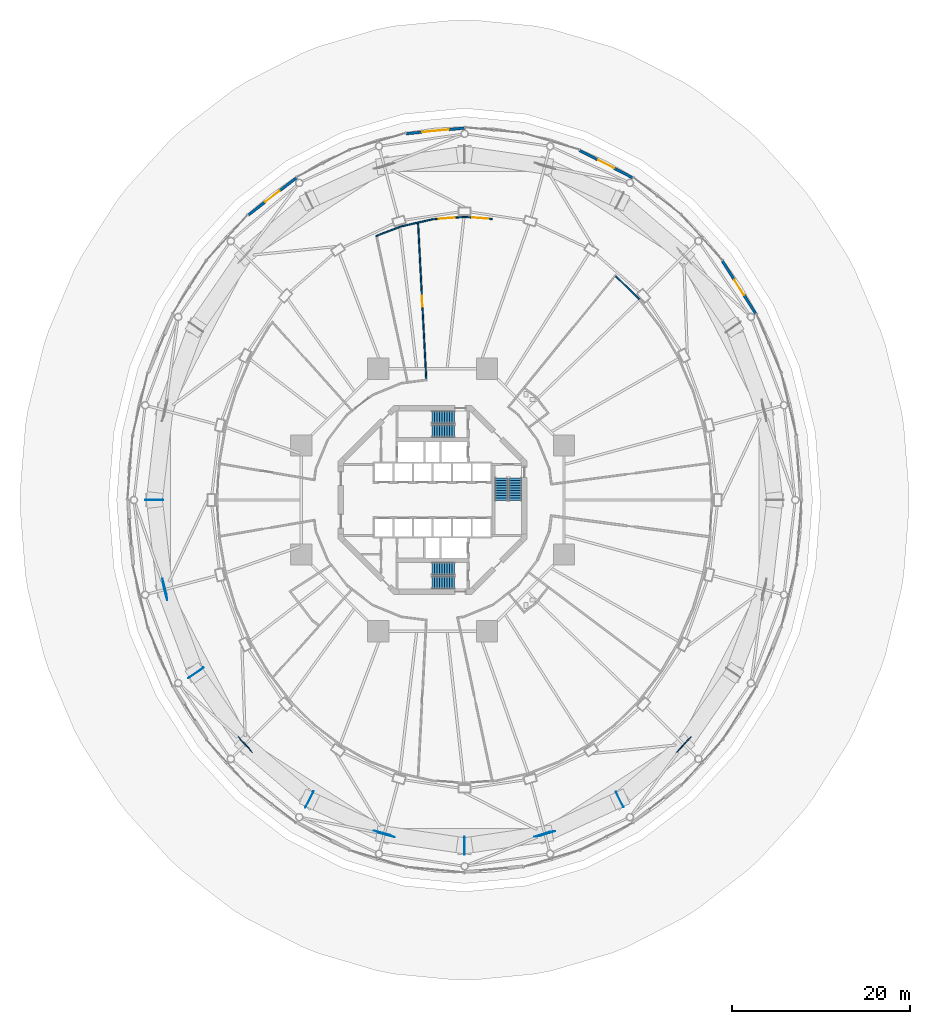
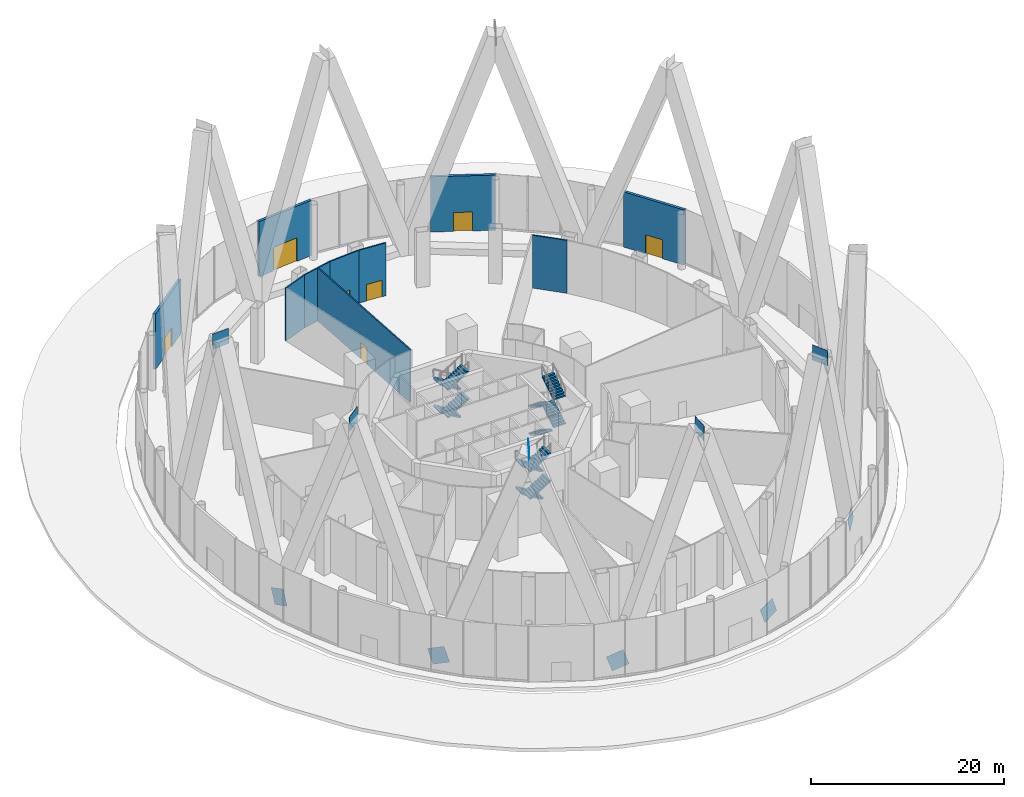
# One storey, part 62 of 67: 12 stair flights, 11 walls, 10 discrete accessories, 7 doors, 7 openings, 3 elements without a shape of their own.
"""IFC4 building model written with IfcOpenShell, lengths in metres."""

from ifc_helpers import new_model, si_unit, direction, frame, frame_2d, origin, origin_2d, place, context, subcontext, project, spatial, polyline, rectangle, outline, extrude, material, layer, layer_set, type_object, element, fill, aggregate, save


model = new_model("IFC4")

# Units and contexts
model_context = context("Model", 3, precision=1e-05, world=origin(), true_north=direction((0.0, 1.0)))
body_context = subcontext(model_context, "Body", "Model", "MODEL_VIEW")
ifc_project = project(units=[si_unit("LENGTHUNIT", "METRE"), si_unit("AREAUNIT", "SQUARE_METRE"), si_unit("VOLUMEUNIT", "CUBIC_METRE"), si_unit("PLANEANGLEUNIT", "RADIAN"), si_unit("MASSUNIT", "GRAM", prefix="KILO")], contexts=[model_context])

# Site, building, storey
site_placement = place(None, origin())
site = spatial("IfcSite", under=ifc_project, at=site_placement, CompositionType="ELEMENT")
building_placement = place(site_placement, origin())
building = spatial("IfcBuilding", under=site, at=building_placement, Name="Nagisa Residences", CompositionType="ELEMENT")
storey_placement = place(building_placement, origin())
storey = spatial("IfcBuildingStorey", under=building, at=storey_placement, Name="L00", CompositionType="ELEMENT", Elevation=0.0)

# Wall, opening, door
ifc_material_1 = material(Name="Precast concrete C40/50", Category="concrete")
ifc_layer_1 = layer(ifc_material_1, 0.300048828125)
ifc_layer_set_1 = layer_set([ifc_layer_1], Name="ENTRANCE WALL 300")
wall_type_1 = type_object("IfcWallType", Name="ENTRANCE WALL 300", PredefinedType="SOLIDWALL", material=ifc_layer_set_1)
wall_1_placement = place(storey_placement, frame((32.5830078125, 26.916748046875, 0.0), z_axis=(0.0, 0.0, 1.0), x_axis=(0.535169889444, -0.844744452147, 0.0)))
wall_1 = element("IfcWall", 1, at=wall_1_placement, inside=storey, type_object=wall_type_1, Name="wall:L00:xit03", PredefinedType="SOLIDWALL", context=body_context, shape_type="SweptSolid", body=[
    extrude(rectangle(XDim=7.099365234375, YDim=0.300048828125, at=frame_2d((3.5498046875, 0.0))), origin(), (0.0, 0.0, 1.0), 7.0),
])
opening_1_placement = place(wall_1_placement, frame((2.549560546875, 0.0, 0.0)))
opening_1 = element("IfcOpeningElement", 2, at=opening_1_placement, cuts=wall_1, Name="Opening XD-01", PredefinedType="OPENING", context=body_context, shape_type="SweptSolid", body=[
    extrude(rectangle(XDim=2.0, YDim=2.39990234375, at=frame_2d((1.0, 1.199951171875))), frame((0.0, 0.159912109375, 0.0), z_axis=(0.0, -1.0, 0.0), x_axis=(1.0, 0.0, 0.0)), (0.0, 0.0, 1.0), 0.320068359375),
])
ifc_material_2 = material(Name="Stainless steel and clear glass", Category="steel")
door_type_1 = type_object("IfcDoorType", Name="EXIT DOUBLE DOOR 2000x2400", OperationType="DOUBLE_DOOR_SINGLE_SWING", PredefinedType="DOOR", material=ifc_material_2)
door_1_placement = place(opening_1_placement, origin())
door_1 = element("IfcDoor", 3, at=door_1_placement, inside=storey, type_object=door_type_1, Name="door:L00:xit03", OperationType="DOUBLE_DOOR_SINGLE_SWING", OverallHeight=2.39990234375, OverallWidth=2.0, PredefinedType="DOOR", context=body_context, shape_type="SweptSolid", body=[
    extrude(rectangle(XDim=2.0, YDim=2.39990234375, at=frame_2d((1.0, 1.199951171875))), frame((0.0, 0.02490234375, 0.0), z_axis=(0.0, -1.0, 0.0), x_axis=(1.0, 0.0, 0.0)), (0.0, 0.0, 1.0), 0.050048828125),
])
fill(opening_1, door_1)

wall_2_placement = place(storey_placement, frame((16.528076171875, 39.333740234375, 0.0), z_axis=(0.0, 0.0, 1.0), x_axis=(0.888887130152, -0.458126259726, 0.0)))
wall_2 = element("IfcWall", 4, at=wall_2_placement, inside=storey, type_object=wall_type_1, Name="wall:L00:xit06", PredefinedType="SOLIDWALL", context=body_context, shape_type="SweptSolid", body=[
    extrude(rectangle(XDim=6.753662109375, YDim=0.300048828125, at=frame_2d((3.376953125, 0.0))), origin(), (0.0, 0.0, 1.0), 7.0),
])
opening_2_placement = place(wall_2_placement, frame((2.376708984375, 0.0, 0.0)))
opening_2 = element("IfcOpeningElement", 5, at=opening_2_placement, cuts=wall_2, Name="Opening XD-02", PredefinedType="OPENING", context=body_context, shape_type="SweptSolid", body=[
    extrude(rectangle(XDim=2.0, YDim=2.39990234375, at=frame_2d((1.0, 1.199951171875))), frame((0.0, 0.159912109375, 0.0), z_axis=(0.0, -1.0, 0.0), x_axis=(1.0, 0.0, 0.0)), (0.0, 0.0, 1.0), 0.320068359375),
])
door_2_placement = place(opening_2_placement, origin())
door_2 = element("IfcDoor", 6, at=door_2_placement, inside=storey, type_object=door_type_1, Name="door:L00:xit06", OperationType="DOUBLE_DOOR_SINGLE_SWING", OverallHeight=2.39990234375, OverallWidth=2.0, PredefinedType="DOOR", context=body_context, shape_type="SweptSolid", body=[
    extrude(rectangle(XDim=2.0, YDim=2.39990234375, at=frame_2d((1.0, 1.199951171875))), frame((0.0, 0.02490234375, 0.0), z_axis=(0.0, -1.0, 0.0), x_axis=(1.0, 0.0, 0.0)), (0.0, 0.0, 1.0), 0.050048828125),
])
fill(opening_2, door_2)

wall_3_placement = place(storey_placement, frame((-2.984130859375, 41.212646484375, 0.0), z_axis=(0.0, 0.0, 1.0), x_axis=(0.995359234714, 0.096228861932, 0.0)))
wall_3 = element("IfcWall", 7, at=wall_3_placement, inside=storey, type_object=wall_type_1, Name="wall:L00:ent09", PredefinedType="SOLIDWALL", context=body_context, shape_type="SweptSolid", body=[
    extrude(rectangle(XDim=6.62939453125, YDim=0.300048828125, at=frame_2d((3.314697265625, 0.0))), origin(), (0.0, 0.0, 1.0), 7.0),
])
opening_3_placement = place(wall_3_placement, frame((1.814697265625, 0.0, 0.0)))
opening_3 = element("IfcOpeningElement", 8, at=opening_3_placement, cuts=wall_3, Name="Opening ED-02", PredefinedType="OPENING", context=body_context, shape_type="SweptSolid", body=[
    extrude(rectangle(XDim=3.0, YDim=3.0, at=frame_2d((1.5, 1.5))), frame((0.0, 0.159912109375, 0.0), z_axis=(0.0, -1.0, 0.0), x_axis=(1.0, 0.0, 0.0)), (0.0, 0.0, 1.0), 0.320068359375),
])
ifc_material_3 = material(Name="Stainless steel and clear glass", Category="steel")
door_type_2 = type_object("IfcDoorType", Name="ENTRANCE DOUBLE DOOR 3000x3000", OperationType="DOUBLE_DOOR_DOUBLE_SWING", PredefinedType="DOOR", material=ifc_material_3)
door_3_placement = place(opening_3_placement, origin())
door_3 = element("IfcDoor", 9, at=door_3_placement, inside=storey, type_object=door_type_2, Name="door:L00:ent09", OperationType="DOUBLE_DOOR_DOUBLE_SWING", OverallHeight=3.0, OverallWidth=3.0, PredefinedType="DOOR", context=body_context, shape_type="SweptSolid", body=[
    extrude(rectangle(XDim=3.0, YDim=3.0, at=frame_2d((1.5, 1.5))), frame((0.0, 0.02490234375, 0.0), z_axis=(0.0, -1.0, 0.0), x_axis=(1.0, 0.0, 0.0)), (0.0, 0.0, 1.0), 0.050048828125),
])
fill(opening_3, door_3)

wall_4_placement = place(storey_placement, frame((-20.734130859375, 32.05517578125, 0.0), z_axis=(0.0, 0.0, 1.0), x_axis=(0.790834819486, 0.612029646576, 0.0)))
wall_4 = element("IfcWall", 10, at=wall_4_placement, inside=storey, type_object=wall_type_1, Name="wall:L00:xit12", PredefinedType="SOLIDWALL", context=body_context, shape_type="SweptSolid", body=[
    extrude(rectangle(XDim=6.861083984375, YDim=0.300048828125, at=frame_2d((3.4306640625, 0.0))), origin(), (0.0, 0.0, 1.0), 7.0),
])
opening_4_placement = place(wall_4_placement, frame((2.430419921875, 0.0, 0.0)))
opening_4 = element("IfcOpeningElement", 11, at=opening_4_placement, cuts=wall_4, Name="Opening XD-03", PredefinedType="OPENING", context=body_context, shape_type="SweptSolid", body=[
    extrude(rectangle(XDim=2.0, YDim=2.39990234375, at=frame_2d((1.0, 1.199951171875))), frame((0.0, 0.159912109375, 0.0), z_axis=(0.0, -1.0, 0.0), x_axis=(1.0, 0.0, 0.0)), (0.0, 0.0, 1.0), 0.320068359375),
])
door_4_placement = place(opening_4_placement, origin())
door_4 = element("IfcDoor", 12, at=door_4_placement, inside=storey, type_object=door_type_1, Name="door:L00:xit12", OperationType="DOUBLE_DOOR_SINGLE_SWING", OverallHeight=2.39990234375, OverallWidth=2.0, PredefinedType="DOOR", context=body_context, shape_type="SweptSolid", body=[
    extrude(rectangle(XDim=2.0, YDim=2.39990234375, at=frame_2d((1.0, 1.199951171875))), frame((0.0, 0.02490234375, 0.0), z_axis=(0.0, -1.0, 0.0), x_axis=(1.0, 0.0, 0.0)), (0.0, 0.0, 1.0), 0.050048828125),
])
fill(opening_4, door_4)

# Walls
ifc_material_4 = material(Name="Gypsum board on steel studs", Category="steel")
ifc_layer_2 = layer(ifc_material_4, 0.14990234375)
ifc_layer_set_2 = layer_set([ifc_layer_2], Name="Room partition EI60 150")
wall_type_2 = type_object("IfcWallType", Name="Room partition EI60 150", PredefinedType="PARTITIONING", material=ifc_layer_set_2)
wall_5_placement = place(storey_placement, frame((-6.386474609375, 29.6845703125, 0.0), z_axis=(0.0, 0.0, 1.0), x_axis=(0.932843334817, 0.360282268074, 0.0)))
element("IfcWall", 13, at=wall_5_placement, inside=storey, type_object=wall_type_2, Name="wall:L00:am031", PredefinedType="PARTITIONING", context=body_context, shape_type="SweptSolid", body=[
    extrude(rectangle(XDim=3.01220703125, YDim=0.14990234375, at=frame_2d((1.506103515625, 0.0))), origin(), (0.0, 0.0, 1.0), 6.699951171875),
])
wall_6_placement = place(storey_placement, frame((-3.5625, 30.774169921875, 0.0), z_axis=(0.0, 0.0, 1.0), x_axis=(0.975336395286, 0.220723619105, 0.0)))
element("IfcWall", 14, at=wall_6_placement, inside=storey, type_object=wall_type_2, Name="wall:L00:am033", PredefinedType="PARTITIONING", context=body_context, shape_type="SweptSolid", body=[
    extrude(rectangle(XDim=1.9755859375, YDim=0.14990234375, at=frame_2d((0.98779296875, 0.0))), origin(), (0.0, 0.0, 1.0), 6.699951171875),
])
wall_7_placement = place(storey_placement, frame((-1.6357421875, 31.210205078125, 0.0), z_axis=(0.0, 0.0, 1.0), x_axis=(0.975332482819, 0.220740906853, 0.0)))
element("IfcWall", 15, at=wall_7_placement, inside=storey, type_object=wall_type_2, Name="wall:L00:am039", PredefinedType="PARTITIONING", context=body_context, shape_type="SweptSolid", body=[
    extrude(rectangle(XDim=1.654541015625, YDim=0.14990234375, at=frame_2d((0.8271484375, 0.0))), origin(), (0.0, 0.0, 1.0), 6.699951171875),
])

# Wall, opening, door
wall_8_placement = place(storey_placement, frame((-0.7119140625, 13.58203125, 0.0), z_axis=(0.0, 0.0, 1.0), x_axis=(-0.052338659043, 0.998629393103, 0.0)))
wall_8 = element("IfcWall", 16, at=wall_8_placement, inside=storey, type_object=wall_type_2, Name="wall:L00:am041", PredefinedType="PARTITIONING", context=body_context, shape_type="SweptSolid", body=[
    extrude(rectangle(XDim=17.576416015625, YDim=0.14990234375, at=frame_2d((8.7880859375, 0.0))), origin(), (0.0, 0.0, 1.0), 6.699951171875),
])
opening_5_placement = place(wall_8_placement, frame((8.188720703125, 0.0, 0.0)))
opening_5 = element("IfcOpeningElement", 17, at=opening_5_placement, cuts=wall_8, Name="Opening L00-A03", PredefinedType="OPENING", context=body_context, shape_type="SweptSolid", body=[
    extrude(rectangle(XDim=1.199951171875, YDim=2.10009765625, at=frame_2d((0.60009765625, 1.050048828125))), frame((0.0, 0.0849609375, 0.0), z_axis=(0.0, -1.0, 0.0), x_axis=(1.0, 0.0, 0.0)), (0.0, 0.0, 1.0), 0.169921875),
])
ifc_material_5 = material(Name="Steel fire door", Category="steel")
door_type_3 = type_object("IfcDoorType", Name="Fire door EI30 1200x2100 single swing", OperationType="NOTDEFINED", PredefinedType="DOOR", material=ifc_material_5)
door_5_placement = place(opening_5_placement, frame((1.199951171875, 0.0, 0.0), x_axis=(-1.0, 0.0, 0.0)))
door_5 = element("IfcDoor", 18, at=door_5_placement, inside=storey, type_object=door_type_3, Name="Concierge and security office door", OperationType="SINGLE_SWING_RIGHT", OverallHeight=2.10009765625, OverallWidth=1.199951171875, PredefinedType="DOOR", context=body_context, shape_type="SweptSolid", body=[
    extrude(rectangle(XDim=1.199951171875, YDim=2.10009765625, at=frame_2d((0.60009765625, 1.050048828125))), frame((0.0, 0.02490234375, 0.0), z_axis=(0.0, -1.0, 0.0), x_axis=(1.0, 0.0, 0.0)), (0.0, 0.0, 1.0), 0.050048828125),
])
fill(opening_5, door_5)

wall_9_placement = place(storey_placement, frame((-0.007080078125, 31.577880859375, 0.0), z_axis=(0.0, 0.0, 1.0), x_axis=(0.997233506708, 0.074332584365, 0.0)))
wall_9 = element("IfcWall", 19, at=wall_9_placement, inside=storey, type_object=wall_type_2, Name="wall:L00:am043", PredefinedType="PARTITIONING", context=body_context, shape_type="SweptSolid", body=[
    extrude(rectangle(XDim=3.609619140625, YDim=0.14990234375, at=frame_2d((1.8046875, 0.0))), origin(), (0.0, 0.0, 1.0), 6.699951171875),
])
opening_6_placement = place(wall_9_placement, frame((0.70068359375, 0.0, 0.0)))
opening_6 = element("IfcOpeningElement", 20, at=opening_6_placement, cuts=wall_9, Name="Opening L00-A12", PredefinedType="OPENING", context=body_context, shape_type="SweptSolid", body=[
    extrude(rectangle(XDim=1.800048828125, YDim=2.10009765625, at=frame_2d((0.89990234375, 1.050048828125))), frame((0.0, 0.0849609375, 0.0), z_axis=(0.0, -1.0, 0.0), x_axis=(1.0, 0.0, 0.0)), (0.0, 0.0, 1.0), 0.169921875),
])
ifc_material_6 = material(Name="Steel fire door", Category="steel")
door_type_4 = type_object("IfcDoorType", Name="Fire door EI30 1800x2100 double door single swing", OperationType="DOUBLE_DOOR_SINGLE_SWING", PredefinedType="DOOR", material=ifc_material_6)
door_6_placement = place(opening_6_placement, origin())
door_6 = element("IfcDoor", 21, at=door_6_placement, inside=storey, type_object=door_type_4, Name="Entrance hall north and exit corridor exit door", OperationType="DOUBLE_DOOR_SINGLE_SWING", OverallHeight=2.10009765625, OverallWidth=1.800048828125, PredefinedType="DOOR", context=body_context, shape_type="SweptSolid", body=[
    extrude(rectangle(XDim=1.800048828125, YDim=2.10009765625, at=frame_2d((0.89990234375, 1.050048828125))), frame((0.0, 0.02490234375, 0.0), z_axis=(0.0, -1.0, 0.0), x_axis=(1.0, 0.0, 0.0)), (0.0, 0.0, 1.0), 0.050048828125),
])
fill(opening_6, door_6)

wall_10_placement = place(storey_placement, frame((3.607666015625, 31.84619140625, 0.0), z_axis=(0.0, 0.0, 1.0), x_axis=(0.997228552186, -0.074399023545, 0.0)))
wall_10 = element("IfcWall", 22, at=wall_10_placement, inside=storey, type_object=wall_type_2, Name="wall:L00:am047", PredefinedType="PARTITIONING", context=body_context, shape_type="SweptSolid", body=[
    extrude(rectangle(XDim=3.12060546875, YDim=0.14990234375, at=frame_2d((1.560302734375, 0.0))), origin(), (0.0, 0.0, 1.0), 6.699951171875),
])
opening_7_placement = place(wall_10_placement, frame((0.875244140625, 0.0, 0.0)))
opening_7 = element("IfcOpeningElement", 23, at=opening_7_placement, cuts=wall_10, Name="Opening L00-A13", PredefinedType="OPENING", context=body_context, shape_type="SweptSolid", body=[
    extrude(rectangle(XDim=1.800048828125, YDim=2.10009765625, at=frame_2d((0.89990234375, 1.050048828125))), frame((0.0, 0.0849609375, 0.0), z_axis=(0.0, -1.0, 0.0), x_axis=(1.0, 0.0, 0.0)), (0.0, 0.0, 1.0), 0.169921875),
])
door_7_placement = place(opening_7_placement, origin())
door_7 = element("IfcDoor", 24, at=door_7_placement, inside=storey, type_object=door_type_4, Name="Entrance hall north and exit corridor exit door", OperationType="DOUBLE_DOOR_SINGLE_SWING", OverallHeight=2.10009765625, OverallWidth=1.800048828125, PredefinedType="DOOR", context=body_context, shape_type="SweptSolid", body=[
    extrude(rectangle(XDim=1.800048828125, YDim=2.10009765625, at=frame_2d((0.89990234375, 1.050048828125))), frame((0.0, 0.02490234375, 0.0), z_axis=(0.0, -1.0, 0.0), x_axis=(1.0, 0.0, 0.0)), (0.0, 0.0, 1.0), 0.050048828125),
])
fill(opening_7, door_7)

# Wall
wall_11_placement = place(storey_placement, frame((20.61669921875, 25.192138671875, 0.0), z_axis=(0.0, 0.0, 1.0), x_axis=(0.707799198324, -0.706413685352, 0.0)))
element("IfcWall", 25, at=wall_11_placement, inside=storey, type_object=wall_type_2, Name="wall:L00:am071", PredefinedType="PARTITIONING", context=body_context, shape_type="SweptSolid", body=[
    extrude(rectangle(XDim=3.700439453125, YDim=0.14990234375, at=frame_2d((1.85009765625, 0.0))), origin(), (0.0, 0.0, 1.0), 6.699951171875),
])

# Stair, stair flights
ifc_material_7 = material(Name="Concrete C60", Category="concrete")
stair_type = type_object("IfcStairType", Name="Exit stair", PredefinedType="HALF_TURN_STAIR", material=ifc_material_7)
stair_1_placement = place(storey_placement, origin())
stair_1 = element("IfcStair", 26, at=stair_1_placement, inside=storey, type_object=stair_type, Name="L00 Exit stair E", PredefinedType="HALF_TURN_STAIR")
ifc_material_8 = material(Name="Concrete C60", Category="concrete")
stair_flight_type = type_object("IfcStairFlightType", Name="Exit stair flight", PredefinedType="STRAIGHT", material=ifc_material_8)
stair_flight_1_placement = place(storey_placement, frame((7.737060546875, 2.47509765625, 0.0), z_axis=(0.0, 0.0, 1.0), x_axis=(0.0, -1.0, 0.0)))
stair_flight_1 = element("IfcStairFlight", 27, at=stair_flight_1_placement, type_object=stair_flight_type, Name="ST-E flight 1", NumberOfRisers=10, NumberOfTreads=9, PredefinedType="STRAIGHT", RiserHeight=0.175, TreadLength=0.28, context=body_context, shape_type="SweptSolid", body=[
    extrude(outline(polyline([(0.0, 0.0), (0.0, 0.175048828125), (0.280029296875, 0.175048828125), (0.280029296875, 0.35009765625), (0.56005859375, 0.35009765625), (0.56005859375, 0.52490234375), (0.840087890625, 0.52490234375), (0.840087890625, 0.699951171875), (1.1201171875, 0.699951171875), (1.1201171875, 0.875), (1.39990234375, 0.875), (1.39990234375, 1.050048828125), (1.679931640625, 1.050048828125), (1.679931640625, 1.22509765625), (1.9599609375, 1.22509765625), (1.9599609375, 1.39990234375), (2.239990234375, 1.39990234375), (2.239990234375, 1.574951171875), (2.52001953125, 1.574951171875), (2.52001953125, 1.75), (2.52001953125, 1.398193359375), (0.28271484375, 0.0), (0.0, 0.0)])), frame((0.0, 0.71240234375, 0.0), z_axis=(0.0, -1.0, 0.0), x_axis=(1.0, 0.0, 0.0)), (0.0, 0.0, 1.0), 1.425048828125),
])
stair_flight_2_placement = place(storey_placement, frame((9.31201171875, -0.044921875, 1.75), z_axis=(0.0, 0.0, 1.0), x_axis=(0.0, 1.0, 0.0)))
stair_flight_2 = element("IfcStairFlight", 28, at=stair_flight_2_placement, type_object=stair_flight_type, Name="ST-E flight 2", NumberOfRisers=10, NumberOfTreads=9, PredefinedType="STRAIGHT", RiserHeight=0.175, TreadLength=0.28, context=body_context, shape_type="SweptSolid", body=[
    extrude(outline(polyline([(0.0, 0.0), (0.0, 0.175048828125), (0.280029296875, 0.175048828125), (0.280029296875, 0.35009765625), (0.56005859375, 0.35009765625), (0.56005859375, 0.52490234375), (0.840087890625, 0.52490234375), (0.840087890625, 0.699951171875), (1.1201171875, 0.699951171875), (1.1201171875, 0.875), (1.39990234375, 0.875), (1.39990234375, 1.050048828125), (1.679931640625, 1.050048828125), (1.679931640625, 1.22509765625), (1.9599609375, 1.22509765625), (1.9599609375, 1.39990234375), (2.239990234375, 1.39990234375), (2.239990234375, 1.574951171875), (2.52001953125, 1.574951171875), (2.52001953125, 1.75), (2.52001953125, 1.398193359375), (0.28271484375, 0.0), (0.0, 0.0)])), frame((0.0, 0.71240234375, 0.0), z_axis=(0.0, -1.0, 0.0), x_axis=(1.0, 0.0, 0.0)), (0.0, 0.0, 1.0), 1.425048828125),
])
stair_flight_3_placement = place(storey_placement, frame((7.737060546875, 2.47509765625, 3.5), z_axis=(0.0, 0.0, 1.0), x_axis=(0.0, -1.0, 0.0)))
stair_flight_3 = element("IfcStairFlight", 29, at=stair_flight_3_placement, type_object=stair_flight_type, Name="ST-E flight 3", NumberOfRisers=10, NumberOfTreads=9, PredefinedType="STRAIGHT", RiserHeight=0.175, TreadLength=0.28, context=body_context, shape_type="SweptSolid", body=[
    extrude(outline(polyline([(0.0, 0.0), (0.0, 0.175048828125), (0.280029296875, 0.175048828125), (0.280029296875, 0.35009765625), (0.56005859375, 0.35009765625), (0.56005859375, 0.52490234375), (0.840087890625, 0.52490234375), (0.840087890625, 0.699951171875), (1.1201171875, 0.699951171875), (1.1201171875, 0.875), (1.39990234375, 0.875), (1.39990234375, 1.050048828125), (1.679931640625, 1.050048828125), (1.679931640625, 1.22509765625), (1.9599609375, 1.22509765625), (1.9599609375, 1.39990234375), (2.239990234375, 1.39990234375), (2.239990234375, 1.574951171875), (2.52001953125, 1.574951171875), (2.52001953125, 1.75), (2.52001953125, 1.398193359375), (0.28271484375, 0.0), (0.0, 0.0)])), frame((0.0, 0.71240234375, 0.0), z_axis=(0.0, -1.0, 0.0), x_axis=(1.0, 0.0, 0.0)), (0.0, 0.0, 1.0), 1.425048828125),
])
stair_flight_4_placement = place(storey_placement, frame((9.31201171875, -0.044921875, 5.25), z_axis=(0.0, 0.0, 1.0), x_axis=(0.0, 1.0, 0.0)))
stair_flight_4 = element("IfcStairFlight", 30, at=stair_flight_4_placement, type_object=stair_flight_type, Name="ST-E flight 4", NumberOfRisers=10, NumberOfTreads=9, PredefinedType="STRAIGHT", RiserHeight=0.175, TreadLength=0.28, context=body_context, shape_type="SweptSolid", body=[
    extrude(outline(polyline([(0.0, 0.0), (0.0, 0.175048828125), (0.280029296875, 0.175048828125), (0.280029296875, 0.35009765625), (0.56005859375, 0.35009765625), (0.56005859375, 0.52490234375), (0.840087890625, 0.52490234375), (0.840087890625, 0.699951171875), (1.1201171875, 0.699951171875), (1.1201171875, 0.875), (1.39990234375, 0.875), (1.39990234375, 1.050048828125), (1.679931640625, 1.050048828125), (1.679931640625, 1.22509765625), (1.9599609375, 1.22509765625), (1.9599609375, 1.39990234375), (2.239990234375, 1.39990234375), (2.239990234375, 1.574951171875), (2.52001953125, 1.574951171875), (2.52001953125, 1.75), (2.52001953125, 1.398193359375), (0.28271484375, 0.0), (0.0, 0.0)])), frame((0.0, 0.71240234375, 0.0), z_axis=(0.0, -1.0, 0.0), x_axis=(1.0, 0.0, 0.0)), (0.0, 0.0, 1.0), 1.425048828125),
])
aggregate(stair_1, [stair_flight_1, stair_flight_2, stair_flight_3, stair_flight_4])

stair_2_placement = place(storey_placement, origin())
stair_2 = element("IfcStair", 31, at=stair_2_placement, inside=storey, type_object=stair_type, Name="L00 Exit stair N", PredefinedType="HALF_TURN_STAIR")
stair_flight_5_placement = place(storey_placement, frame((2.47509765625, 9.31201171875, 0.0), z_axis=(0.0, 0.0, 1.0), x_axis=(-1.0, 0.0, 0.0)))
stair_flight_5 = element("IfcStairFlight", 32, at=stair_flight_5_placement, type_object=stair_flight_type, Name="ST-N flight 1", NumberOfRisers=10, NumberOfTreads=9, PredefinedType="STRAIGHT", RiserHeight=0.175, TreadLength=0.28, context=body_context, shape_type="SweptSolid", body=[
    extrude(outline(polyline([(0.0, 0.0), (0.0, 0.175048828125), (0.280029296875, 0.175048828125), (0.280029296875, 0.35009765625), (0.56005859375, 0.35009765625), (0.56005859375, 0.52490234375), (0.840087890625, 0.52490234375), (0.840087890625, 0.699951171875), (1.1201171875, 0.699951171875), (1.1201171875, 0.875), (1.39990234375, 0.875), (1.39990234375, 1.050048828125), (1.679931640625, 1.050048828125), (1.679931640625, 1.22509765625), (1.9599609375, 1.22509765625), (1.9599609375, 1.39990234375), (2.239990234375, 1.39990234375), (2.239990234375, 1.574951171875), (2.52001953125, 1.574951171875), (2.52001953125, 1.75), (2.52001953125, 1.398193359375), (0.28271484375, 0.0), (0.0, 0.0)])), frame((0.0, 0.71240234375, 0.0), z_axis=(0.0, -1.0, 0.0), x_axis=(1.0, 0.0, 0.0)), (0.0, 0.0, 1.0), 1.425048828125),
])
stair_flight_6_placement = place(storey_placement, frame((-0.044921875, 7.737060546875, 1.75), z_axis=(0.0, 0.0, 1.0), x_axis=(1.0, 0.0, 0.0)))
stair_flight_6 = element("IfcStairFlight", 33, at=stair_flight_6_placement, type_object=stair_flight_type, Name="ST-N flight 2", NumberOfRisers=10, NumberOfTreads=9, PredefinedType="STRAIGHT", RiserHeight=0.175, TreadLength=0.28, context=body_context, shape_type="SweptSolid", body=[
    extrude(outline(polyline([(0.0, 0.0), (0.0, 0.175048828125), (0.280029296875, 0.175048828125), (0.280029296875, 0.35009765625), (0.56005859375, 0.35009765625), (0.56005859375, 0.52490234375), (0.840087890625, 0.52490234375), (0.840087890625, 0.699951171875), (1.1201171875, 0.699951171875), (1.1201171875, 0.875), (1.39990234375, 0.875), (1.39990234375, 1.050048828125), (1.679931640625, 1.050048828125), (1.679931640625, 1.22509765625), (1.9599609375, 1.22509765625), (1.9599609375, 1.39990234375), (2.239990234375, 1.39990234375), (2.239990234375, 1.574951171875), (2.52001953125, 1.574951171875), (2.52001953125, 1.75), (2.52001953125, 1.398193359375), (0.28271484375, 0.0), (0.0, 0.0)])), frame((0.0, 0.71240234375, 0.0), z_axis=(0.0, -1.0, 0.0), x_axis=(1.0, 0.0, 0.0)), (0.0, 0.0, 1.0), 1.425048828125),
])
stair_flight_7_placement = place(storey_placement, frame((2.47509765625, 9.31201171875, 3.5), z_axis=(0.0, 0.0, 1.0), x_axis=(-1.0, 0.0, 0.0)))
stair_flight_7 = element("IfcStairFlight", 34, at=stair_flight_7_placement, type_object=stair_flight_type, Name="ST-N flight 3", NumberOfRisers=10, NumberOfTreads=9, PredefinedType="STRAIGHT", RiserHeight=0.175, TreadLength=0.28, context=body_context, shape_type="SweptSolid", body=[
    extrude(outline(polyline([(0.0, 0.0), (0.0, 0.175048828125), (0.280029296875, 0.175048828125), (0.280029296875, 0.35009765625), (0.56005859375, 0.35009765625), (0.56005859375, 0.52490234375), (0.840087890625, 0.52490234375), (0.840087890625, 0.699951171875), (1.1201171875, 0.699951171875), (1.1201171875, 0.875), (1.39990234375, 0.875), (1.39990234375, 1.050048828125), (1.679931640625, 1.050048828125), (1.679931640625, 1.22509765625), (1.9599609375, 1.22509765625), (1.9599609375, 1.39990234375), (2.239990234375, 1.39990234375), (2.239990234375, 1.574951171875), (2.52001953125, 1.574951171875), (2.52001953125, 1.75), (2.52001953125, 1.398193359375), (0.28271484375, 0.0), (0.0, 0.0)])), frame((0.0, 0.71240234375, 0.0), z_axis=(0.0, -1.0, 0.0), x_axis=(1.0, 0.0, 0.0)), (0.0, 0.0, 1.0), 1.425048828125),
])
stair_flight_8_placement = place(storey_placement, frame((-0.044921875, 7.737060546875, 5.25), z_axis=(0.0, 0.0, 1.0), x_axis=(1.0, 0.0, 0.0)))
stair_flight_8 = element("IfcStairFlight", 35, at=stair_flight_8_placement, type_object=stair_flight_type, Name="ST-N flight 4", NumberOfRisers=10, NumberOfTreads=9, PredefinedType="STRAIGHT", RiserHeight=0.175, TreadLength=0.28, context=body_context, shape_type="SweptSolid", body=[
    extrude(outline(polyline([(0.0, 0.0), (0.0, 0.175048828125), (0.280029296875, 0.175048828125), (0.280029296875, 0.35009765625), (0.56005859375, 0.35009765625), (0.56005859375, 0.52490234375), (0.840087890625, 0.52490234375), (0.840087890625, 0.699951171875), (1.1201171875, 0.699951171875), (1.1201171875, 0.875), (1.39990234375, 0.875), (1.39990234375, 1.050048828125), (1.679931640625, 1.050048828125), (1.679931640625, 1.22509765625), (1.9599609375, 1.22509765625), (1.9599609375, 1.39990234375), (2.239990234375, 1.39990234375), (2.239990234375, 1.574951171875), (2.52001953125, 1.574951171875), (2.52001953125, 1.75), (2.52001953125, 1.398193359375), (0.28271484375, 0.0), (0.0, 0.0)])), frame((0.0, 0.71240234375, 0.0), z_axis=(0.0, -1.0, 0.0), x_axis=(1.0, 0.0, 0.0)), (0.0, 0.0, 1.0), 1.425048828125),
])
aggregate(stair_2, [stair_flight_5, stair_flight_6, stair_flight_7, stair_flight_8])

stair_3_placement = place(storey_placement, origin())
stair_3 = element("IfcStair", 36, at=stair_3_placement, inside=storey, type_object=stair_type, Name="L00 Exit stair S", PredefinedType="HALF_TURN_STAIR")
stair_flight_9_placement = place(storey_placement, frame((2.47509765625, -7.737060546875, 0.0), z_axis=(0.0, 0.0, 1.0), x_axis=(-1.0, 0.0, 0.0)))
stair_flight_9 = element("IfcStairFlight", 37, at=stair_flight_9_placement, type_object=stair_flight_type, Name="ST-S flight 1", NumberOfRisers=10, NumberOfTreads=9, PredefinedType="STRAIGHT", RiserHeight=0.175, TreadLength=0.28, context=body_context, shape_type="SweptSolid", body=[
    extrude(outline(polyline([(0.0, 0.0), (0.0, 0.175048828125), (0.280029296875, 0.175048828125), (0.280029296875, 0.35009765625), (0.56005859375, 0.35009765625), (0.56005859375, 0.52490234375), (0.840087890625, 0.52490234375), (0.840087890625, 0.699951171875), (1.1201171875, 0.699951171875), (1.1201171875, 0.875), (1.39990234375, 0.875), (1.39990234375, 1.050048828125), (1.679931640625, 1.050048828125), (1.679931640625, 1.22509765625), (1.9599609375, 1.22509765625), (1.9599609375, 1.39990234375), (2.239990234375, 1.39990234375), (2.239990234375, 1.574951171875), (2.52001953125, 1.574951171875), (2.52001953125, 1.75), (2.52001953125, 1.398193359375), (0.28271484375, 0.0), (0.0, 0.0)])), frame((0.0, 0.71240234375, 0.0), z_axis=(0.0, -1.0, 0.0), x_axis=(1.0, 0.0, 0.0)), (0.0, 0.0, 1.0), 1.425048828125),
])
stair_flight_10_placement = place(storey_placement, frame((-0.044921875, -9.31201171875, 1.75), z_axis=(0.0, 0.0, 1.0), x_axis=(1.0, 0.0, 0.0)))
stair_flight_10 = element("IfcStairFlight", 38, at=stair_flight_10_placement, type_object=stair_flight_type, Name="ST-S flight 2", NumberOfRisers=10, NumberOfTreads=9, PredefinedType="STRAIGHT", RiserHeight=0.175, TreadLength=0.28, context=body_context, shape_type="SweptSolid", body=[
    extrude(outline(polyline([(0.0, 0.0), (0.0, 0.175048828125), (0.280029296875, 0.175048828125), (0.280029296875, 0.35009765625), (0.56005859375, 0.35009765625), (0.56005859375, 0.52490234375), (0.840087890625, 0.52490234375), (0.840087890625, 0.699951171875), (1.1201171875, 0.699951171875), (1.1201171875, 0.875), (1.39990234375, 0.875), (1.39990234375, 1.050048828125), (1.679931640625, 1.050048828125), (1.679931640625, 1.22509765625), (1.9599609375, 1.22509765625), (1.9599609375, 1.39990234375), (2.239990234375, 1.39990234375), (2.239990234375, 1.574951171875), (2.52001953125, 1.574951171875), (2.52001953125, 1.75), (2.52001953125, 1.398193359375), (0.28271484375, 0.0), (0.0, 0.0)])), frame((0.0, 0.71240234375, 0.0), z_axis=(0.0, -1.0, 0.0), x_axis=(1.0, 0.0, 0.0)), (0.0, 0.0, 1.0), 1.425048828125),
])
stair_flight_11_placement = place(storey_placement, frame((2.47509765625, -7.737060546875, 3.5), z_axis=(0.0, 0.0, 1.0), x_axis=(-1.0, 0.0, 0.0)))
stair_flight_11 = element("IfcStairFlight", 39, at=stair_flight_11_placement, type_object=stair_flight_type, Name="ST-S flight 3", NumberOfRisers=10, NumberOfTreads=9, PredefinedType="STRAIGHT", RiserHeight=0.175, TreadLength=0.28, context=body_context, shape_type="SweptSolid", body=[
    extrude(outline(polyline([(0.0, 0.0), (0.0, 0.175048828125), (0.280029296875, 0.175048828125), (0.280029296875, 0.35009765625), (0.56005859375, 0.35009765625), (0.56005859375, 0.52490234375), (0.840087890625, 0.52490234375), (0.840087890625, 0.699951171875), (1.1201171875, 0.699951171875), (1.1201171875, 0.875), (1.39990234375, 0.875), (1.39990234375, 1.050048828125), (1.679931640625, 1.050048828125), (1.679931640625, 1.22509765625), (1.9599609375, 1.22509765625), (1.9599609375, 1.39990234375), (2.239990234375, 1.39990234375), (2.239990234375, 1.574951171875), (2.52001953125, 1.574951171875), (2.52001953125, 1.75), (2.52001953125, 1.398193359375), (0.28271484375, 0.0), (0.0, 0.0)])), frame((0.0, 0.71240234375, 0.0), z_axis=(0.0, -1.0, 0.0), x_axis=(1.0, 0.0, 0.0)), (0.0, 0.0, 1.0), 1.425048828125),
])
stair_flight_12_placement = place(storey_placement, frame((-0.044921875, -9.31201171875, 5.25), z_axis=(0.0, 0.0, 1.0), x_axis=(1.0, 0.0, 0.0)))
stair_flight_12 = element("IfcStairFlight", 40, at=stair_flight_12_placement, type_object=stair_flight_type, Name="ST-S flight 4", NumberOfRisers=10, NumberOfTreads=9, PredefinedType="STRAIGHT", RiserHeight=0.175, TreadLength=0.28, context=body_context, shape_type="SweptSolid", body=[
    extrude(outline(polyline([(0.0, 0.0), (0.0, 0.175048828125), (0.280029296875, 0.175048828125), (0.280029296875, 0.35009765625), (0.56005859375, 0.35009765625), (0.56005859375, 0.52490234375), (0.840087890625, 0.52490234375), (0.840087890625, 0.699951171875), (1.1201171875, 0.699951171875), (1.1201171875, 0.875), (1.39990234375, 0.875), (1.39990234375, 1.050048828125), (1.679931640625, 1.050048828125), (1.679931640625, 1.22509765625), (1.9599609375, 1.22509765625), (1.9599609375, 1.39990234375), (2.239990234375, 1.39990234375), (2.239990234375, 1.574951171875), (2.52001953125, 1.574951171875), (2.52001953125, 1.75), (2.52001953125, 1.398193359375), (0.28271484375, 0.0), (0.0, 0.0)])), frame((0.0, 0.71240234375, 0.0), z_axis=(0.0, -1.0, 0.0), x_axis=(1.0, 0.0, 0.0)), (0.0, 0.0, 1.0), 1.425048828125),
])
aggregate(stair_3, [stair_flight_9, stair_flight_10, stair_flight_11, stair_flight_12])

# Discrete accessories
ifc_material_9 = material(Name="Steel ASTM A572 Gr 50", Category="steel")
ifc_layer_3 = layer(ifc_material_9, 0.030029296875)
ifc_layer_set_3 = layer_set([ifc_layer_3], Name="Node plate")
discrete_accessory_type = type_object("IfcDiscreteAccessoryType", Name="Node plate", PredefinedType="ANCHORPLATE", material=ifc_layer_set_3)
discrete_accessory_placement = place(storey_placement, frame((-31.300048828125, 0.014892578125, 27.0), z_axis=(0.0, -1.0, 0.0), x_axis=(0.044001366641, 0.0, -0.999031470843)))
element("IfcDiscreteAccessory", 41, at=discrete_accessory_placement, inside=storey, type_object=discrete_accessory_type, Name="Node plate CD1012", PredefinedType="ANCHORPLATE", context=body_context, shape_type="SweptSolid", body=[
    extrude(rectangle(XDim=1.919921875, YDim=1.919921875, at=origin_2d()), origin(), (0.0, 0.0, 1.0), 0.02978515625),
])
for number, where, z_axis, x_axis, name in (
    (42, (-30.12548828125, -10.071533203125, 0.000732421875), (0.97087251538, 0.23462752455, -0.048543625769), (-0.037778670454, 0.349979707984, 0.935995179506), "Node plate CD1013"),
    (43, (-26.61572265625, -19.46240234375, 26.999755859375), (-0.565768564398, 0.824405622408, 0.016164816126), (0.063760348498, 0.063285662633, -0.995956596878), "Node plate CD1014"),
):
    element("IfcDiscreteAccessory", number, at=place(storey_placement, frame(where, z_axis=z_axis, x_axis=x_axis)), inside=storey, type_object=discrete_accessory_type, Name=name, PredefinedType="ANCHORPLATE", context=body_context, shape_type="SweptSolid", body=[
        extrude(rectangle(XDim=1.919921875, YDim=1.919921875, at=origin_2d()), origin(), (0.0, 0.0, 1.0), 0.0302734375),
    ])
for number, where, z_axis, x_axis, name in (
    (44, (-21.089111328125, -27.516357421875, 0.000732421875), (0.741998516004, 0.668614047389, -0.048922979077), (-0.191918961636, 0.281770440404, 0.940091767371), "Node plate CD1015"),
    (45, (-13.863525390625, -33.681640625, 27.0), (0.894427191, -0.4472135955, 0.0), (0.038188129908, 0.076376259815, -0.996347496444), "Node plate CD1016"),
    (46, (-5.43701171875, -37.5888671875, 0.000732421875), (0.284027666802, 0.957578990931, -0.048690457166), (-0.295093339611, 0.135618936316, 0.94579459981), "Node plate CD1017"),
    (47, (3.5849609375, -38.89990234375, 27.0), (1.0, 0.0, 0.0), (0.0, 0.049033000329, -0.998797159026), "Node plate CD1018"),
    (48, (12.636962890625, -37.5888671875, 0.000732421875), (-0.284027666802, 0.957578990931, -0.048690457166), (-0.317021093091, -0.045863430458, 0.947308910695), "Node plate CD1019"),
    (49, (21.03662109375, -33.695068359375, 27.0), (0.894427191, 0.4472135955, 0.0), (-0.004406741736, 0.008813483472, -0.99995145039), "Node plate CD1020"),
    (50, (28.2890625, -27.516357421875, 0.000732421875), (-0.741998516004, 0.668614047389, -0.048922979077), (-0.254795425172, -0.213755387051, 0.943073658745), "Node plate CD1021"),
):
    element("IfcDiscreteAccessory", number, at=place(storey_placement, frame(where, z_axis=z_axis, x_axis=x_axis)), inside=storey, type_object=discrete_accessory_type, Name=name, PredefinedType="ANCHORPLATE", context=body_context, shape_type="SweptSolid", body=[
        extrude(rectangle(XDim=1.919921875, YDim=1.919921875, at=origin_2d()), origin(), (0.0, 0.0, 1.0), 0.030029296875),
    ])

save(model, "model.ifc")
